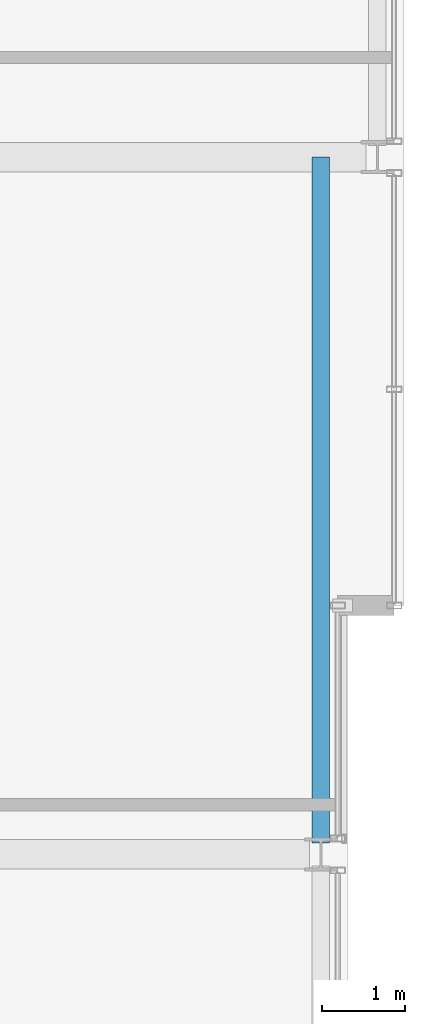
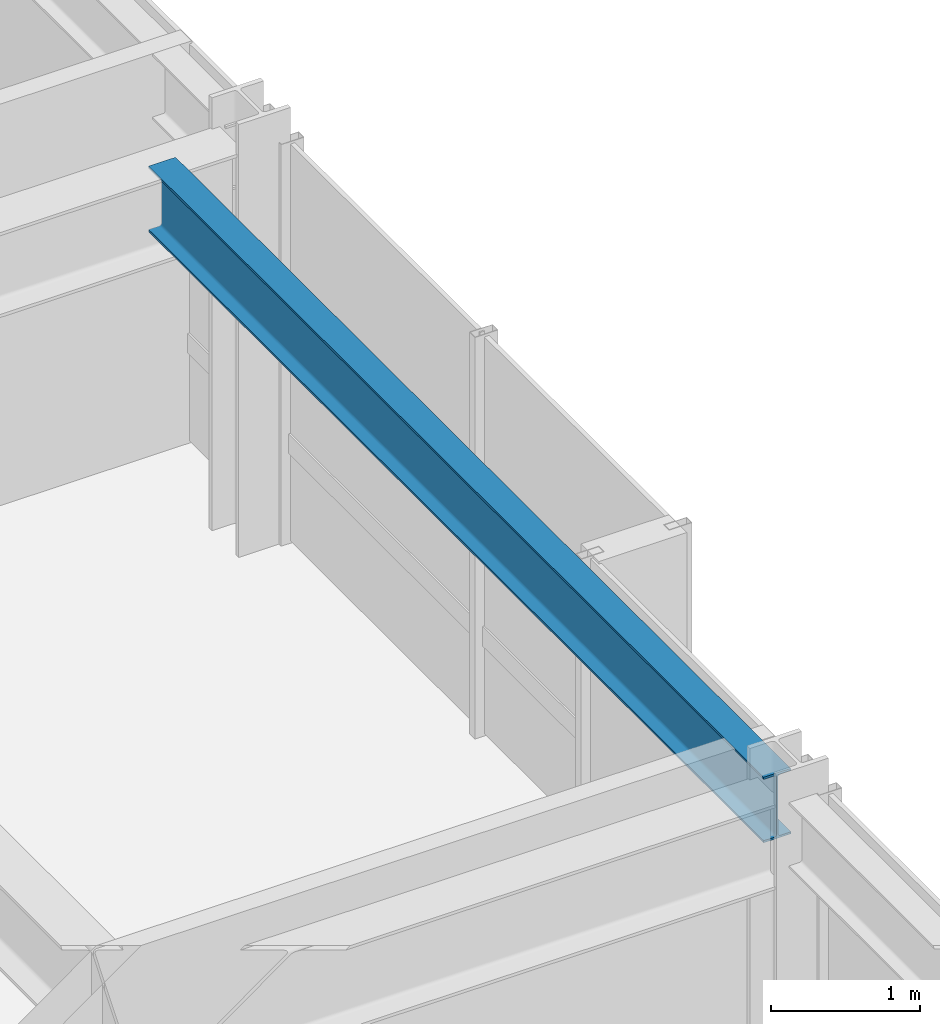
# One storey, part 16 of 32: 1 beam.
"""IFC4 building model written with IfcOpenShell, lengths in metres."""

from ifc_helpers import new_model, si_unit, direction, frame, origin, origin_2d, place, context, subcontext, project, spatial, i_section, extrude, material, material_profile, profile_set, type_object, element, save


model = new_model("IFC4")

# Units and contexts
model_context = context("Model", 3, precision=1e-05, world=origin(), true_north=direction((0.0, 1.0)))
body_context = subcontext(model_context, "Body", "Model", "MODEL_VIEW")
ifc_project = project(units=[si_unit("LENGTHUNIT", "METRE"), si_unit("AREAUNIT", "SQUARE_METRE"), si_unit("VOLUMEUNIT", "CUBIC_METRE"), si_unit("PLANEANGLEUNIT", "RADIAN"), si_unit("MASSUNIT", "GRAM", prefix="KILO")], contexts=[model_context])

# Site, building, storey
site_placement = place(None, origin())
site = spatial("IfcSite", under=ifc_project, at=site_placement, CompositionType="ELEMENT")
building_placement = place(site_placement, origin())
building = spatial("IfcBuilding", under=site, at=building_placement, Name="Drelvath Grand Hotel", CompositionType="ELEMENT")
storey_placement = place(building_placement, frame((0.0, 0.0, 189.449951171875)))
storey = spatial("IfcBuildingStorey", under=building, at=storey_placement, Name="L49", CompositionType="ELEMENT", Elevation=189.449951171875)

# Beam
ifc_material = material(Name="Steel ASTM A992 Gr 50", Category="steel")
ifc_material_profile = material_profile(ifc_material, i_section(OverallWidth=0.210205078125, OverallDepth=0.53662109375, WebThickness=0.010986328125, FlangeThickness=0.017333984375, FilletRadius=0.01806640625, at=origin_2d()), Name="W21X68")
ifc_profile_set = profile_set([ifc_material_profile], Name="Steel ASTM A992 Gr 50")
beam_type = type_object("IfcBeamType", Name="Perimeter Spandrel Beam W21X68", PredefinedType="SPANDREL", material=ifc_profile_set)
beam_placement = place(storey_placement, frame((21.199951171875, 27.139892578125, 3.021728515625), z_axis=(0.0, 1.0, 0.0), x_axis=(-1.0, 0.0, 0.0)))
element("IfcBeam", 1, at=beam_placement, inside=storey, type_object=beam_type, Name="L49 Spandrel East Mid N", PredefinedType="SPANDREL", context=body_context, shape_type="SweptSolid", body=[
    extrude(i_section(OverallWidth=0.210205078125, OverallDepth=0.53662109375, WebThickness=0.010986328125, FlangeThickness=0.017333984375, FilletRadius=0.01806640625, at=origin_2d()), origin(), (0.0, 0.0, 1.0), 8.260009765625),
])

save(model, "model.ifc")
